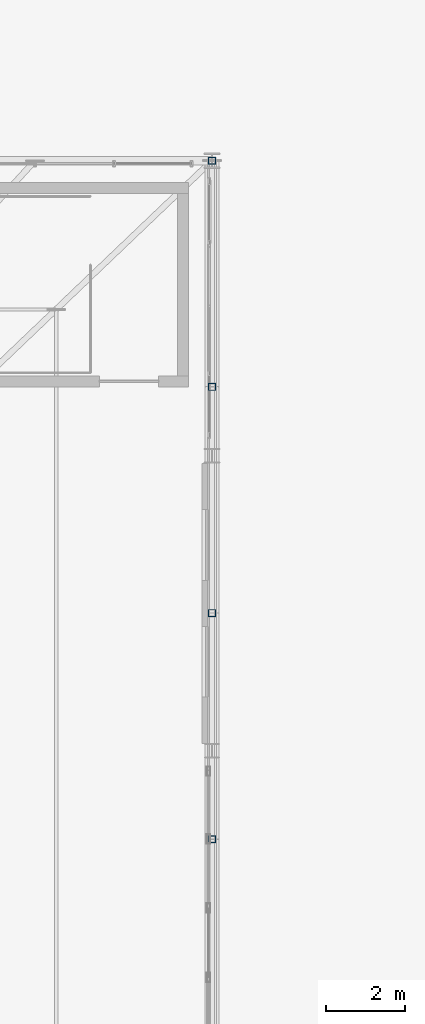
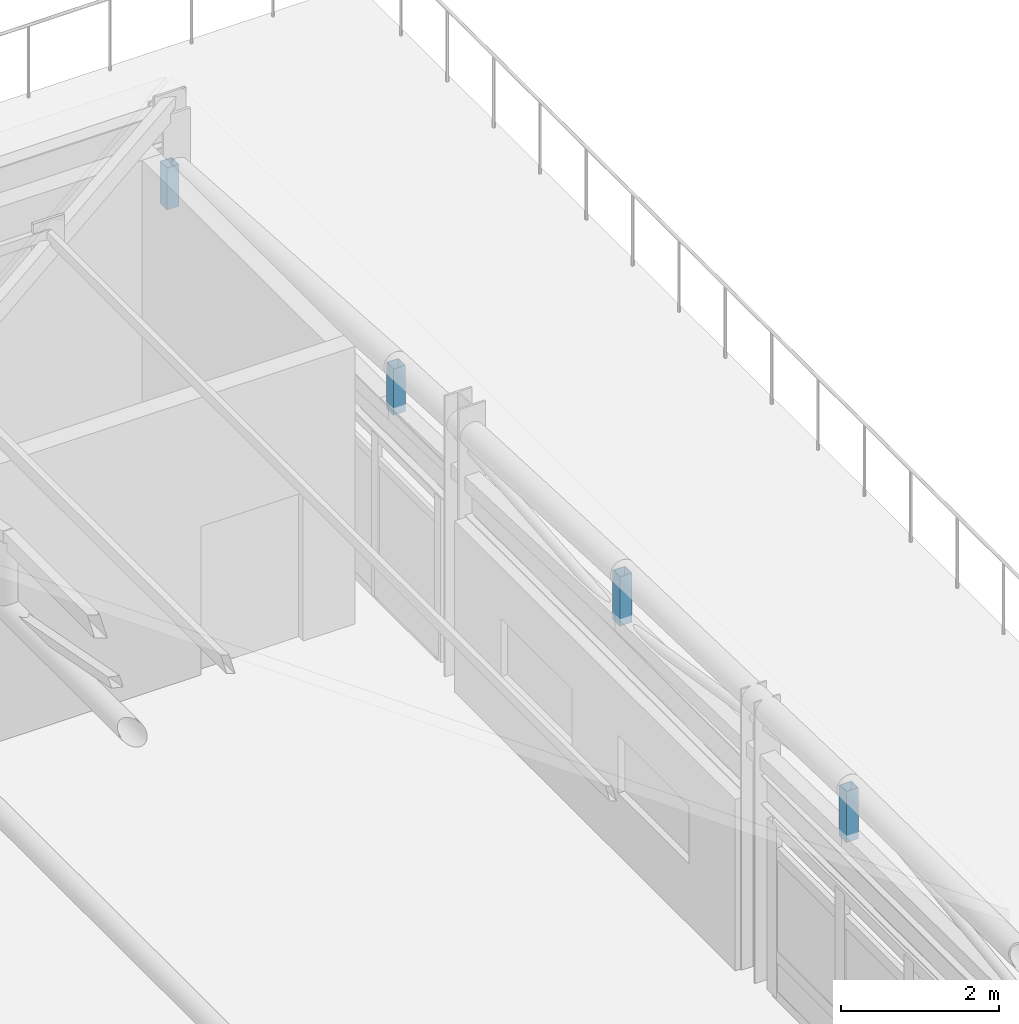
# One storey, part 130 of 168: 4 members.
"""IFC4 building model written with IfcOpenShell, lengths in metres."""

from ifc_helpers import new_model, si_unit, direction, frame, origin, origin_2d, place, context, subcontext, project, spatial, hollow_rectangle, extrude, material, material_profile, profile_set, type_object, element, save


model = new_model("IFC4")

# Units and contexts
model_context = context("Model", 3, precision=1e-05, world=origin(), true_north=direction((0.0, 1.0)))
body_context = subcontext(model_context, "Body", "Model", "MODEL_VIEW")
ifc_project = project(units=[si_unit("LENGTHUNIT", "METRE"), si_unit("AREAUNIT", "SQUARE_METRE"), si_unit("VOLUMEUNIT", "CUBIC_METRE"), si_unit("PLANEANGLEUNIT", "RADIAN"), si_unit("MASSUNIT", "GRAM", prefix="KILO"), si_unit("THERMODYNAMICTEMPERATUREUNIT", "KELVIN"), si_unit("POWERUNIT", "WATT")], contexts=[model_context])

# Site, building, storey
site_placement = place(None, origin())
site = spatial("IfcSite", under=ifc_project, at=site_placement, CompositionType="ELEMENT")
building_placement = place(site_placement, origin())
building = spatial("IfcBuilding", under=site, at=building_placement, Name="Tepalcoro Natatorium and Aquatics Centre", CompositionType="ELEMENT")
storey_placement = place(building_placement, frame((0.0, 0.0, 10.199951171875)))
storey = spatial("IfcBuildingStorey", under=building, at=storey_placement, Name="L02", CompositionType="ELEMENT", Elevation=10.199951171875)

# Members
ifc_material = material(Name="Terracotta Painted Hollow Steel ASTM A500 Grade C (Fy 345 MPa)", Category="masonry")
ifc_material_profile = material_profile(ifc_material, hollow_rectangle(XDim=0.179931640625, YDim=0.179931640625, WallThickness=0.010009765625, at=origin_2d()), Name="HSS180X180X10")
ifc_profile_set = profile_set([ifc_material_profile], Name="Terracotta Painted Hollow Steel ASTM A500 Grade C (Fy 345 MPa)")
member_type = type_object("IfcMemberType", Name="MB_PS_HSS180x180x10", PredefinedType="POST", material=ifc_profile_set)
member_1_placement = place(storey_placement, frame((125.0, 41.75, 3.456298828125), z_axis=(0.0, 0.0, 1.0), x_axis=(1.0, 0.0, 0.0)))
element("IfcMember", 1, at=member_1_placement, inside=storey, type_object=member_type, Name="V1 Arched Truss Vertical Post 9", PredefinedType="POST", context=body_context, shape_type="SweptSolid", body=[
    extrude(hollow_rectangle(XDim=0.179931640625, YDim=0.179931640625, WallThickness=0.010009765625, at=origin_2d()), origin(), (0.0, 0.0, 1.0), 0.790771484375),
])
member_2_placement = place(storey_placement, frame((125.0, 47.5, 3.324951171875), z_axis=(0.0, 0.0, 1.0), x_axis=(1.0, 0.0, 0.0)))
element("IfcMember", 2, at=member_2_placement, inside=storey, type_object=member_type, Name="V1 Arched Truss Vertical Post 9", PredefinedType="POST", context=body_context, shape_type="SweptSolid", body=[
    extrude(hollow_rectangle(XDim=0.179931640625, YDim=0.179931640625, WallThickness=0.010009765625, at=origin_2d()), origin(), (0.0, 0.0, 1.0), 0.7626953125),
])
member_3_placement = place(storey_placement, frame((125.0, 53.25, 3.106201171875), z_axis=(0.0, 0.0, 1.0), x_axis=(1.0, 0.0, 0.0)))
element("IfcMember", 3, at=member_3_placement, inside=storey, type_object=member_type, Name="V1 Arched Truss Vertical Post 9", PredefinedType="POST", context=body_context, shape_type="SweptSolid", body=[
    extrude(hollow_rectangle(XDim=0.179931640625, YDim=0.179931640625, WallThickness=0.010009765625, at=origin_2d()), origin(), (0.0, 0.0, 1.0), 0.7158203125),
])
member_4_placement = place(storey_placement, frame((125.0, 59.0, 2.800048828125), z_axis=(0.0, 0.0, 1.0), x_axis=(1.0, 0.0, 0.0)))
element("IfcMember", 4, at=member_4_placement, inside=storey, type_object=member_type, Name="V1 Arched Truss Vertical Post 9", PredefinedType="POST", context=body_context, shape_type="SweptSolid", body=[
    extrude(hollow_rectangle(XDim=0.179931640625, YDim=0.179931640625, WallThickness=0.010009765625, at=origin_2d()), origin(), (0.0, 0.0, 1.0), 0.64990234375),
])

save(model, "model.ifc")
